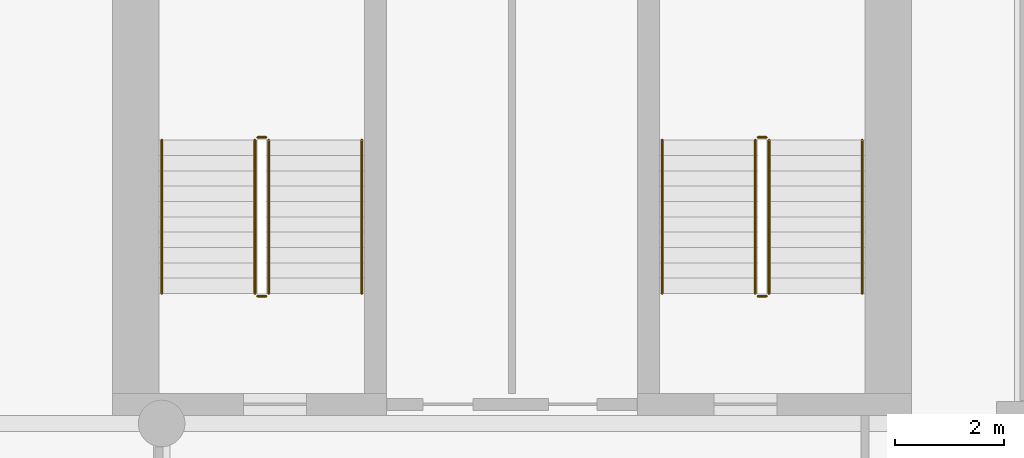
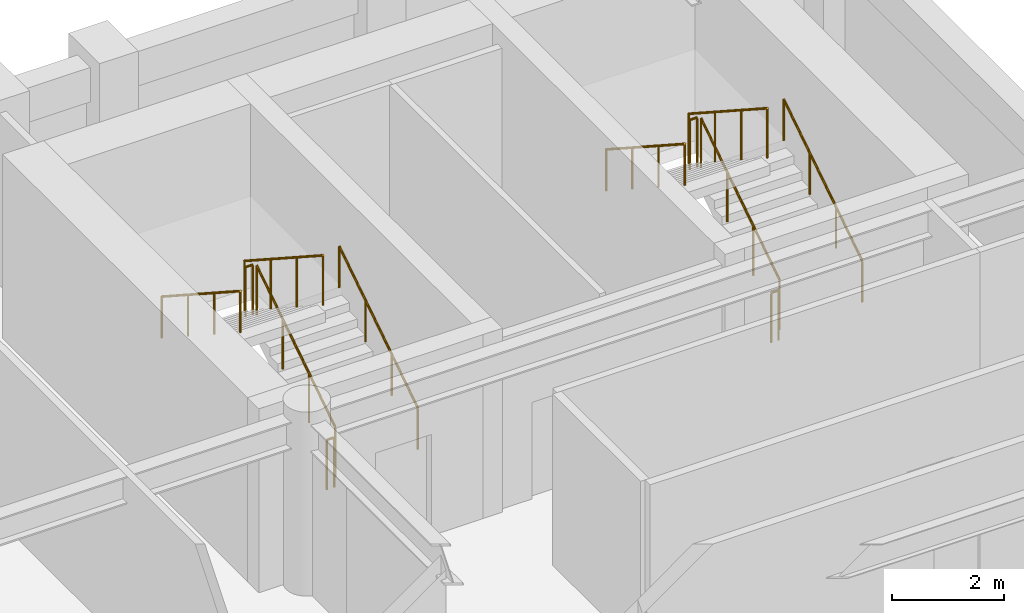
# One storey, part 8 of 8: 12 railings.
"""IFC4 building model written with IfcOpenShell, lengths in metres."""

from ifc_helpers import new_model, si_unit, direction, frame, origin, origin_2d, place, context, subcontext, project, spatial, circle, extrude, material, type_object, element, save


model = new_model("IFC4")

# Units and contexts
model_context = context("Model", 3, precision=1e-05, world=origin(), true_north=direction((0.0, 1.0)))
body_context = subcontext(model_context, "Body", "Model", "MODEL_VIEW")
ifc_project = project(units=[si_unit("LENGTHUNIT", "METRE"), si_unit("AREAUNIT", "SQUARE_METRE"), si_unit("VOLUMEUNIT", "CUBIC_METRE"), si_unit("PLANEANGLEUNIT", "RADIAN"), si_unit("MASSUNIT", "GRAM", prefix="KILO")], contexts=[model_context])

# Site, building, storey
site_placement = place(None, origin())
site = spatial("IfcSite", under=ifc_project, at=site_placement, CompositionType="ELEMENT")
building_placement = place(site_placement, origin())
building = spatial("IfcBuilding", under=site, at=building_placement, Name="Sulina Concourse Tower", CompositionType="ELEMENT")
storey_placement = place(building_placement, frame((0.0, 0.0, 174.60009765625)))
storey = spatial("IfcBuildingStorey", under=building, at=storey_placement, Name="L42", CompositionType="ELEMENT", Elevation=174.60009765625)

# Railings
ifc_material_1 = material(Name="Galvanised steel railing", Category="steel")
railing_type_1 = type_object("IfcRailingType", Name="Core Stair Steel Guardrail 1150mm", PredefinedType="GUARDRAIL", material=ifc_material_1)
railing_1_placement = place(storey_placement, frame((43.554931640625, 36.375, 0.181640625)))
element("IfcRailing", 1, at=railing_1_placement, inside=storey, type_object=railing_type_1, Name="L42 ST-3 stair guard 1", PredefinedType="GUARDRAIL", context=body_context, shape_type="SweptSolid", body=[
    extrude(circle(Radius=0.02392578125, at=origin_2d()), frame((0.0, 0.0, 1.076171875), z_axis=(0.0, 0.838672427954, 0.544636170843), x_axis=(-1.0, 0.0, 0.0)), (0.0, 0.0, 1.0), 3.338623046875),
    extrude(circle(Radius=0.02099609375, at=origin_2d()), origin(), (0.0, 0.0, 1.0), 1.052001953125),
    extrude(circle(Radius=0.02099609375, at=origin_2d()), frame((0.0, 0.933349609375, 0.606201171875)), (0.0, 0.0, 1.0), 1.052001953125),
    extrude(circle(Radius=0.02099609375, at=origin_2d()), frame((0.0, 1.86669921875, 1.212158203125)), (0.0, 0.0, 1.0), 1.052001953125),
    extrude(circle(Radius=0.02099609375, at=origin_2d()), frame((0.0, 2.800048828125, 1.818359375)), (0.0, 0.0, 1.0), 1.052001953125),
])
railing_2_placement = place(storey_placement, frame((43.5048828125, 39.22509765625, 2.0)))
element("IfcRailing", 2, at=railing_2_placement, inside=storey, type_object=railing_type_1, Name="L42 ST-3 stair guard 2", PredefinedType="GUARDRAIL", context=body_context, shape_type="SweptSolid", body=[
    extrude(circle(Radius=0.02392578125, at=origin_2d()), frame((0.0, 0.0, 1.076171875), z_axis=(-1.0, 0.0, 0.0), x_axis=(0.0, -1.0, 0.0)), (0.0, 0.0, 1.0), 0.14990234375),
    extrude(circle(Radius=0.02099609375, at=origin_2d()), origin(), (0.0, 0.0, 1.0), 1.052001953125),
    extrude(circle(Radius=0.02099609375, at=origin_2d()), frame((-0.14990234375, 0.0, 0.0)), (0.0, 0.0, 1.0), 1.052001953125),
])
railing_3_placement = place(storey_placement, frame((43.304931640625, 39.175048828125, 2.181640625)))
element("IfcRailing", 3, at=railing_3_placement, inside=storey, type_object=railing_type_1, Name="L42 ST-3 stair guard 3", PredefinedType="GUARDRAIL", context=body_context, shape_type="SweptSolid", body=[
    extrude(circle(Radius=0.02392578125, at=origin_2d()), frame((0.0, 0.0, 1.076171875), z_axis=(0.0, -0.838672427954, 0.544636170843), x_axis=(1.0, 0.0, 0.0)), (0.0, 0.0, 1.0), 3.338623046875),
    extrude(circle(Radius=0.02099609375, at=origin_2d()), origin(), (0.0, 0.0, 1.0), 1.052001953125),
    extrude(circle(Radius=0.02099609375, at=origin_2d()), frame((0.0, -0.933349609375, 0.606201171875)), (0.0, 0.0, 1.0), 1.052001953125),
    extrude(circle(Radius=0.02099609375, at=origin_2d()), frame((0.0, -1.86669921875, 1.212158203125)), (0.0, 0.0, 1.0), 1.052001953125),
    extrude(circle(Radius=0.02099609375, at=origin_2d()), frame((0.0, -2.800048828125, 1.818359375)), (0.0, 0.0, 1.0), 1.052001953125),
])
railing_4_placement = place(storey_placement, frame((43.5048828125, 36.324951171875, 0.0)))
element("IfcRailing", 4, at=railing_4_placement, inside=storey, type_object=railing_type_1, Name="L42 ST-3 stair guard 4", PredefinedType="GUARDRAIL", context=body_context, shape_type="SweptSolid", body=[
    extrude(circle(Radius=0.02392578125, at=origin_2d()), frame((0.0, 0.0, 1.076171875), z_axis=(-1.0, 0.0, 0.0), x_axis=(0.0, -1.0, 0.0)), (0.0, 0.0, 1.0), 0.14990234375),
    extrude(circle(Radius=0.02099609375, at=origin_2d()), origin(), (0.0, 0.0, 1.0), 1.052001953125),
    extrude(circle(Radius=0.02099609375, at=origin_2d()), frame((-0.14990234375, 0.0, 0.0)), (0.0, 0.0, 1.0), 1.052001953125),
])
railing_5_placement = place(storey_placement, frame((52.695068359375, 36.375, 0.181640625)))
element("IfcRailing", 5, at=railing_5_placement, inside=storey, type_object=railing_type_1, Name="L42 ST-4 stair guard 1", PredefinedType="GUARDRAIL", context=body_context, shape_type="SweptSolid", body=[
    extrude(circle(Radius=0.02392578125, at=origin_2d()), frame((0.0, 0.0, 1.076171875), z_axis=(0.0, 0.838672427954, 0.544636170843), x_axis=(-1.0, 0.0, 0.0)), (0.0, 0.0, 1.0), 3.338623046875),
    extrude(circle(Radius=0.02099609375, at=origin_2d()), origin(), (0.0, 0.0, 1.0), 1.052001953125),
    extrude(circle(Radius=0.02099609375, at=origin_2d()), frame((0.0, 0.933349609375, 0.606201171875)), (0.0, 0.0, 1.0), 1.052001953125),
    extrude(circle(Radius=0.02099609375, at=origin_2d()), frame((0.0, 1.86669921875, 1.212158203125)), (0.0, 0.0, 1.0), 1.052001953125),
    extrude(circle(Radius=0.02099609375, at=origin_2d()), frame((0.0, 2.800048828125, 1.818359375)), (0.0, 0.0, 1.0), 1.052001953125),
])
railing_6_placement = place(storey_placement, frame((52.64501953125, 39.22509765625, 2.0)))
element("IfcRailing", 6, at=railing_6_placement, inside=storey, type_object=railing_type_1, Name="L42 ST-4 stair guard 2", PredefinedType="GUARDRAIL", context=body_context, shape_type="SweptSolid", body=[
    extrude(circle(Radius=0.02392578125, at=origin_2d()), frame((0.0, 0.0, 1.076171875), z_axis=(-1.0, 0.0, 0.0), x_axis=(0.0, -1.0, 0.0)), (0.0, 0.0, 1.0), 0.14990234375),
    extrude(circle(Radius=0.02099609375, at=origin_2d()), origin(), (0.0, 0.0, 1.0), 1.052001953125),
    extrude(circle(Radius=0.02099609375, at=origin_2d()), frame((-0.14990234375, 0.0, 0.0)), (0.0, 0.0, 1.0), 1.052001953125),
])
railing_7_placement = place(storey_placement, frame((52.445068359375, 39.175048828125, 2.181640625)))
element("IfcRailing", 7, at=railing_7_placement, inside=storey, type_object=railing_type_1, Name="L42 ST-4 stair guard 3", PredefinedType="GUARDRAIL", context=body_context, shape_type="SweptSolid", body=[
    extrude(circle(Radius=0.02392578125, at=origin_2d()), frame((0.0, 0.0, 1.076171875), z_axis=(0.0, -0.838672427954, 0.544636170843), x_axis=(1.0, 0.0, 0.0)), (0.0, 0.0, 1.0), 3.338623046875),
    extrude(circle(Radius=0.02099609375, at=origin_2d()), origin(), (0.0, 0.0, 1.0), 1.052001953125),
    extrude(circle(Radius=0.02099609375, at=origin_2d()), frame((0.0, -0.933349609375, 0.606201171875)), (0.0, 0.0, 1.0), 1.052001953125),
    extrude(circle(Radius=0.02099609375, at=origin_2d()), frame((0.0, -1.86669921875, 1.212158203125)), (0.0, 0.0, 1.0), 1.052001953125),
    extrude(circle(Radius=0.02099609375, at=origin_2d()), frame((0.0, -2.800048828125, 1.818359375)), (0.0, 0.0, 1.0), 1.052001953125),
])
railing_8_placement = place(storey_placement, frame((52.64501953125, 36.324951171875, 0.0)))
element("IfcRailing", 8, at=railing_8_placement, inside=storey, type_object=railing_type_1, Name="L42 ST-4 stair guard 4", PredefinedType="GUARDRAIL", context=body_context, shape_type="SweptSolid", body=[
    extrude(circle(Radius=0.02392578125, at=origin_2d()), frame((0.0, 0.0, 1.076171875), z_axis=(-1.0, 0.0, 0.0), x_axis=(0.0, -1.0, 0.0)), (0.0, 0.0, 1.0), 0.14990234375),
    extrude(circle(Radius=0.02099609375, at=origin_2d()), origin(), (0.0, 0.0, 1.0), 1.052001953125),
    extrude(circle(Radius=0.02099609375, at=origin_2d()), frame((-0.14990234375, 0.0, 0.0)), (0.0, 0.0, 1.0), 1.052001953125),
])
ifc_material_2 = material(Name="Galvanised steel railing", Category="steel")
railing_type_2 = type_object("IfcRailingType", Name="Stair Wall Steel Handrail 920mm", PredefinedType="HANDRAIL", material=ifc_material_2)
railing_9_placement = place(storey_placement, frame((45.2548828125, 36.375, 0.181640625)))
element("IfcRailing", 9, at=railing_9_placement, inside=storey, type_object=railing_type_2, Name="L42 ST-3 stair handrail 1", PredefinedType="HANDRAIL", context=body_context, shape_type="SweptSolid", body=[
    extrude(circle(Radius=0.02392578125, at=origin_2d()), frame((0.0, 0.0, 0.89599609375), z_axis=(0.0, 0.838672427954, 0.544636170843), x_axis=(-1.0, 0.0, 0.0)), (0.0, 0.0, 1.0), 3.338623046875),
    extrude(circle(Radius=0.02099609375, at=origin_2d()), origin(), (0.0, 0.0, 1.0), 0.871826171875),
    extrude(circle(Radius=0.02099609375, at=origin_2d()), frame((0.0, 0.933349609375, 0.606201171875)), (0.0, 0.0, 1.0), 0.871826171875),
    extrude(circle(Radius=0.02099609375, at=origin_2d()), frame((0.0, 1.86669921875, 1.212158203125)), (0.0, 0.0, 1.0), 0.871826171875),
    extrude(circle(Radius=0.02099609375, at=origin_2d()), frame((0.0, 2.800048828125, 1.818359375)), (0.0, 0.0, 1.0), 0.871826171875),
])
railing_10_placement = place(storey_placement, frame((41.60498046875, 39.175048828125, 2.181640625)))
element("IfcRailing", 10, at=railing_10_placement, inside=storey, type_object=railing_type_2, Name="L42 ST-3 stair handrail 2", PredefinedType="HANDRAIL", context=body_context, shape_type="SweptSolid", body=[
    extrude(circle(Radius=0.02392578125, at=origin_2d()), frame((0.0, 0.0, 0.89599609375), z_axis=(0.0, -0.838672427954, 0.544636170843), x_axis=(1.0, 0.0, 0.0)), (0.0, 0.0, 1.0), 3.338623046875),
    extrude(circle(Radius=0.02099609375, at=origin_2d()), origin(), (0.0, 0.0, 1.0), 0.871826171875),
    extrude(circle(Radius=0.02099609375, at=origin_2d()), frame((0.0, -0.933349609375, 0.606201171875)), (0.0, 0.0, 1.0), 0.871826171875),
    extrude(circle(Radius=0.02099609375, at=origin_2d()), frame((0.0, -1.86669921875, 1.212158203125)), (0.0, 0.0, 1.0), 0.871826171875),
    extrude(circle(Radius=0.02099609375, at=origin_2d()), frame((0.0, -2.800048828125, 1.818359375)), (0.0, 0.0, 1.0), 0.871826171875),
])
railing_11_placement = place(storey_placement, frame((54.39501953125, 36.375, 0.181640625)))
element("IfcRailing", 11, at=railing_11_placement, inside=storey, type_object=railing_type_2, Name="L42 ST-4 stair handrail 1", PredefinedType="HANDRAIL", context=body_context, shape_type="SweptSolid", body=[
    extrude(circle(Radius=0.02392578125, at=origin_2d()), frame((0.0, 0.0, 0.89599609375), z_axis=(0.0, 0.838672427954, 0.544636170843), x_axis=(-1.0, 0.0, 0.0)), (0.0, 0.0, 1.0), 3.338623046875),
    extrude(circle(Radius=0.02099609375, at=origin_2d()), origin(), (0.0, 0.0, 1.0), 0.871826171875),
    extrude(circle(Radius=0.02099609375, at=origin_2d()), frame((0.0, 0.933349609375, 0.606201171875)), (0.0, 0.0, 1.0), 0.871826171875),
    extrude(circle(Radius=0.02099609375, at=origin_2d()), frame((0.0, 1.86669921875, 1.212158203125)), (0.0, 0.0, 1.0), 0.871826171875),
    extrude(circle(Radius=0.02099609375, at=origin_2d()), frame((0.0, 2.800048828125, 1.818359375)), (0.0, 0.0, 1.0), 0.871826171875),
])
railing_12_placement = place(storey_placement, frame((50.7451171875, 39.175048828125, 2.181640625)))
element("IfcRailing", 12, at=railing_12_placement, inside=storey, type_object=railing_type_2, Name="L42 ST-4 stair handrail 2", PredefinedType="HANDRAIL", context=body_context, shape_type="SweptSolid", body=[
    extrude(circle(Radius=0.02392578125, at=origin_2d()), frame((0.0, 0.0, 0.89599609375), z_axis=(0.0, -0.838672427954, 0.544636170843), x_axis=(1.0, 0.0, 0.0)), (0.0, 0.0, 1.0), 3.338623046875),
    extrude(circle(Radius=0.02099609375, at=origin_2d()), origin(), (0.0, 0.0, 1.0), 0.871826171875),
    extrude(circle(Radius=0.02099609375, at=origin_2d()), frame((0.0, -0.933349609375, 0.606201171875)), (0.0, 0.0, 1.0), 0.871826171875),
    extrude(circle(Radius=0.02099609375, at=origin_2d()), frame((0.0, -1.86669921875, 1.212158203125)), (0.0, 0.0, 1.0), 0.871826171875),
    extrude(circle(Radius=0.02099609375, at=origin_2d()), frame((0.0, -2.800048828125, 1.818359375)), (0.0, 0.0, 1.0), 0.871826171875),
])

save(model, "model.ifc")
